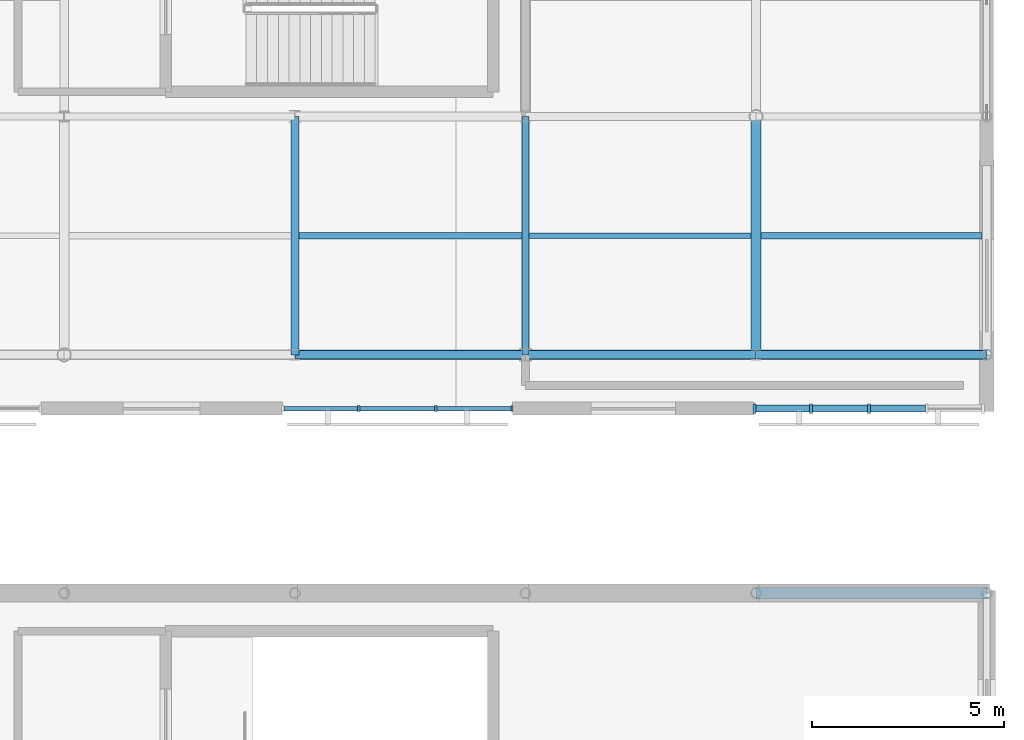
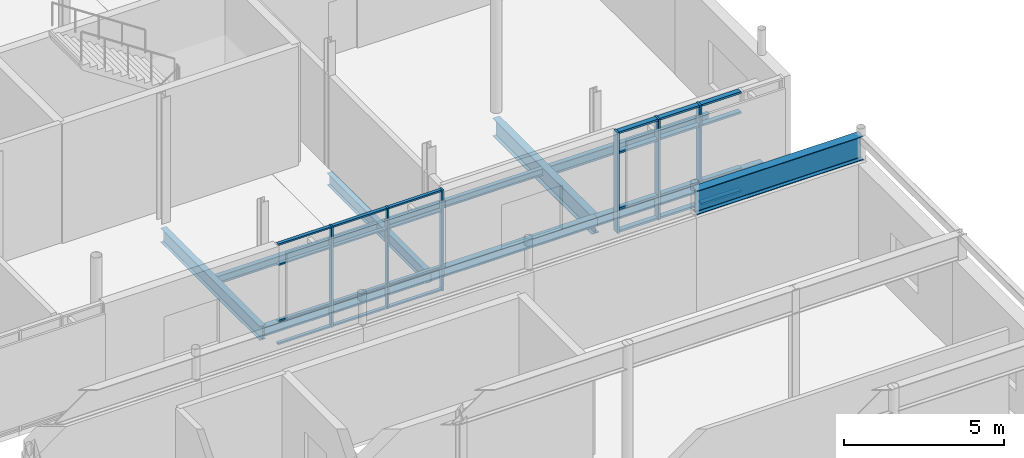
# One storey, part 42 of 84: 30 members, 10 beams, 2 elements without a shape of their own.
"""IFC4 building model written with IfcOpenShell, lengths in metres."""

import ifcopenshell
import ifcopenshell.guid

model = None  # the IFC model being written
_history = None  # IfcOwnerHistory: only IFC2X3 demands one
_inside = {}  # id of a spatial element -> (the spatial element, [elements in it])
_under = {}  # id of a project, library or spatial element -> (it, [spatial elements below it])
_declared = {}  # id of a project -> (the project, [libraries it declares])
_typed = {}  # id of a type object -> (the type object, [elements of that type])
_made_of = {}  # id of a material, layer set ... -> (it, [elements and type objects made of it])


def new_model(schema):
    """Start an empty IFC model of exactly this schema.

    Asked for "IFC4X3", IfcOpenShell would pick the latest addendum, in which some entities
    have other attributes; the version numbers below select the first issue.
    IFC2X3 requires an IfcOwnerHistory on every rooted entity: one is made here for all.
    """
    global model, _history
    if schema == "IFC4X3":
        model = ifcopenshell.file(schema_version=(4, 3, 0, 0))
    else:
        model = ifcopenshell.file(schema=schema)
    _inside.clear()
    _under.clear()
    _declared.clear()
    _typed.clear()
    _made_of.clear()
    _history = None
    if model.schema == "IFC2X3":
        org = make("IfcOrganization", Name="unknown")
        user = make(
            "IfcPersonAndOrganization",
            ThePerson=make("IfcPerson", FamilyName="unknown"),
            TheOrganization=org,
        )
        app = make(
            "IfcApplication",
            ApplicationDeveloper=org,
            Version="unknown",
            ApplicationFullName="unknown",
            ApplicationIdentifier="unknown",
        )
        _history = make(
            "IfcOwnerHistory",
            OwningUser=user,
            OwningApplication=app,
            ChangeAction="ADDED",
            CreationDate=0,
        )
    return model


def make(cls, **values):
    """One entity of the class cls with the attributes given. An attribute that is None is left unset."""
    return model.create_entity(
        cls, **{name: value for name, value in values.items() if value is not None}
    )


def rooted(cls, **values):
    """An entity with a GlobalId (a new one), such as an element, a storey or a relation."""
    return make(cls, GlobalId=ifcopenshell.guid.new(), OwnerHistory=_history, **values)


def si_unit(unit_type, name, prefix=None):
    """IfcSIUnit, for example si_unit("LENGTHUNIT", "METRE", prefix="MILLI")."""
    return make("IfcSIUnit", UnitType=unit_type, Prefix=prefix, Name=name)


def assignment(units):
    """IfcUnitAssignment: the units of a project."""
    return None if units is None else make("IfcUnitAssignment", Units=units)


def point(xyz):
    """IfcCartesianPoint."""
    return None if xyz is None else make("IfcCartesianPoint", Coordinates=xyz)


def direction(xyz):
    """IfcDirection."""
    return None if xyz is None else make("IfcDirection", DirectionRatios=xyz)


def frame(location, z_axis=None, x_axis=None):
    """IfcAxis2Placement3D, a coordinate frame: its origin and axes. An axis left out is left unset."""
    return make(
        "IfcAxis2Placement3D",
        Location=point(location),
        Axis=direction(z_axis),
        RefDirection=direction(x_axis),
    )


def frame_2d(location, x_axis=None):
    """IfcAxis2Placement2D, a coordinate frame in the plane: its origin and x axis."""
    return make(
        "IfcAxis2Placement2D", Location=point(location), RefDirection=direction(x_axis)
    )


def origin():
    """The frame at (0, 0, 0) with its axes left unset."""
    return frame((0.0, 0.0, 0.0))


def origin_2d():
    """The frame at (0, 0) in the plane with its x axis left unset."""
    return frame_2d((0.0, 0.0))


def place(relative_to, where):
    """IfcLocalPlacement: puts the frame where relative to a parent placement (None: the world)."""
    return make(
        "IfcLocalPlacement", PlacementRelTo=relative_to, RelativePlacement=where
    )


def context(
    kind, dimensions, precision=None, world=None, true_north=None, identifier=None
):
    """IfcGeometricRepresentationContext, for example the 3D "Model" context."""
    return make(
        "IfcGeometricRepresentationContext",
        ContextIdentifier=identifier,
        ContextType=kind,
        CoordinateSpaceDimension=dimensions,
        Precision=precision,
        WorldCoordinateSystem=world,
        TrueNorth=true_north,
    )


def subcontext(parent, identifier, kind, view, scale=None):
    """IfcGeometricRepresentationSubContext, for example "Body" below "Model"."""
    return make(
        "IfcGeometricRepresentationSubContext",
        ContextIdentifier=identifier,
        ContextType=kind,
        ParentContext=parent,
        TargetScale=scale,
        TargetView=view,
    )


def project(units=None, contexts=None):
    """IfcProject with its units and contexts."""
    return rooted(
        "IfcProject",
        Name="project",
        RepresentationContexts=contexts,
        UnitsInContext=assignment(units),
    )


def spatial(cls, under=None, at=None, **own):
    """A site, building, storey or space (cls), placed at a placement, below another one or the project."""
    s = rooted(cls, ObjectPlacement=at, **own)
    if under is not None:
        _under.setdefault(under.id(), (under, []))[1].append(s)
    return s


def profile(cls, at=None, kind="AREA", **sizes):
    """A parametric profile (cls). Its sizes go by their IFC names, for example OverallWidth=200.0."""
    return make(cls, ProfileType=kind, Position=at, **sizes)


def rectangle(**sizes):
    """IfcRectangleProfileDef."""
    return profile("IfcRectangleProfileDef", **sizes)


def hollow_rectangle(**sizes):
    """IfcRectangleHollowProfileDef."""
    return profile("IfcRectangleHollowProfileDef", **sizes)


def i_section(**sizes):
    """IfcIShapeProfileDef."""
    return profile("IfcIShapeProfileDef", **sizes)


def extrude(swept, where, along, depth):
    """IfcExtrudedAreaSolid: the profile swept, set in the frame where, extruded along a direction by depth."""
    return make(
        "IfcExtrudedAreaSolid",
        SweptArea=swept,
        Position=where,
        ExtrudedDirection=direction(along),
        Depth=depth,
    )


def shape(context_of_items, identifier, shape_type, items):
    """IfcShapeRepresentation: the items that make up one representation, for example the "Body"."""
    return make(
        "IfcShapeRepresentation",
        ContextOfItems=context_of_items,
        RepresentationIdentifier=identifier,
        RepresentationType=shape_type,
        Items=items,
    )


def material(Name=None, Category=None):
    """IfcMaterial."""
    return make("IfcMaterial", Name=Name, Category=Category)


def layer(
    of_material, thickness, ventilated=None, Name=None, Category=None, Priority=None
):
    """IfcMaterialLayer: one layer of a wall or slab, of a material (None: an air gap)."""
    return make(
        "IfcMaterialLayer",
        Material=of_material,
        LayerThickness=thickness,
        IsVentilated=ventilated,
        Name=Name,
        Category=Category,
        Priority=Priority,
    )


def layer_set(layers, Name=None):
    """IfcMaterialLayerSet."""
    return make("IfcMaterialLayerSet", MaterialLayers=layers, LayerSetName=Name)


def material_profile(
    of_material, cross_section, Name=None, Category=None, Priority=None
):
    """IfcMaterialProfile: a cross section and its material."""
    return make(
        "IfcMaterialProfile",
        Name=Name,
        Material=of_material,
        Profile=cross_section,
        Priority=Priority,
        Category=Category,
    )


def profile_set(profiles, Name=None, composite=None):
    """IfcMaterialProfileSet."""
    return make(
        "IfcMaterialProfileSet",
        Name=Name,
        MaterialProfiles=profiles,
        CompositeProfile=composite,
    )


def made_of(thing, what):
    """Note that an element or type object is made of a material, layer set ...; save() writes the relation."""
    if what is not None:
        _made_of.setdefault(what.id(), (what, []))[1].append(thing)
    return thing


def type_object(cls, material=None, **own):
    """A type object (cls), such as IfcWallType, which elements share."""
    return made_of(rooted(cls, **own), material)


def element(
    cls,
    number,
    at=None,
    inside=None,
    cuts=None,
    type_object=None,
    material=None,
    context=None,
    identifier="Body",
    shape_type=None,
    held_by="IfcProductDefinitionShape",
    body=None,
    shapes=None,
    **own,
):
    """One element of the class cls, such as IfcWall. Its Tag is "e" and its number.

    at: its placement. inside: the storey or other place that contains it. cuts: it is an
    opening in that element (IfcRelVoidsElement). A single representation is given by context,
    identifier, shape_type and body (its items); several are given by shapes. held_by: the class
    of the entity that holds the representations. save() writes the other relations.
    """
    e = rooted(cls, Tag="e%d" % number, ObjectPlacement=at, **own)
    if body is not None:
        shapes = [shape(context, identifier, shape_type, body)]
    if shapes is not None:
        e.Representation = make(held_by, Representations=shapes)
    if inside is not None:
        _inside.setdefault(inside.id(), (inside, []))[1].append(e)
    if cuts is not None:
        rooted(
            "IfcRelVoidsElement", RelatingBuildingElement=cuts, RelatedOpeningElement=e
        )
    if type_object is not None:
        _typed.setdefault(type_object.id(), (type_object, []))[1].append(e)
    return made_of(e, material)


def aggregate(whole, parts):
    """IfcRelAggregates: a whole, such as a stair, and the parts it consists of."""
    return rooted("IfcRelAggregates", RelatingObject=whole, RelatedObjects=parts)


def save(model, path):
    """Write the relations noted so far, then the file.

    IfcRelAggregates (storeys below a building ...), IfcRelContainedInSpatialStructure (elements
    in a storey), IfcRelDefinesByType, IfcRelAssociatesMaterial and IfcRelDeclares: one each for
    every whole, place, type object, material and project.
    """
    for whole, parts in _under.values():
        aggregate(whole, parts)
    for where, things in _inside.values():
        rooted(
            "IfcRelContainedInSpatialStructure",
            RelatedElements=things,
            RelatingStructure=where,
        )
    for kind, things in _typed.values():
        rooted("IfcRelDefinesByType", RelatedObjects=things, RelatingType=kind)
    for what, things in _made_of.values():
        rooted("IfcRelAssociatesMaterial", RelatedObjects=things, RelatingMaterial=what)
    for by, libraries in _declared.values():
        rooted("IfcRelDeclares", RelatingContext=by, RelatedDefinitions=libraries)
    model.write(path)


model = new_model("IFC4")

# Units and contexts
model_context = context("Model", 3, precision=1e-05, world=origin(), true_north=direction((0.0, 1.0)))
body_context = subcontext(model_context, "Body", "Model", "MODEL_VIEW")
ifc_project = project(units=[si_unit("LENGTHUNIT", "METRE"), si_unit("AREAUNIT", "SQUARE_METRE"), si_unit("VOLUMEUNIT", "CUBIC_METRE"), si_unit("PLANEANGLEUNIT", "RADIAN"), si_unit("MASSUNIT", "GRAM", prefix="KILO")], contexts=[model_context])

# Site, building, storey
site_placement = place(None, origin())
site = spatial("IfcSite", under=ifc_project, at=site_placement, CompositionType="ELEMENT")
building_placement = place(site_placement, origin())
building = spatial("IfcBuilding", under=site, at=building_placement, Name="Mirzam Square Science Centre", CompositionType="ELEMENT")
storey_placement = place(building_placement, frame((0.0, 0.0, 10.800048828125)))
storey = spatial("IfcBuildingStorey", under=building, at=storey_placement, Name="L02", CompositionType="ELEMENT", Elevation=10.800048828125)

# Beams
ifc_material_1 = material(Name="Steel S355", Category="steel")
ifc_material_profile_1 = material_profile(ifc_material_1, i_section(OverallWidth=0.19140625, OverallDepth=0.4599609375, WebThickness=0.010009765625, FlangeThickness=0.01611328125, FilletRadius=0.01025390625, at=origin_2d()), Name="457x191x82UB")
ifc_profile_set_1 = profile_set([ifc_material_profile_1], Name="Steel S355")
beam_type_1 = type_object("IfcBeamType", Name="BM-UB457", PredefinedType="BEAM", material=ifc_profile_set_1)
beam_1_placement = place(storey_placement, frame((150.0, 43.39990234375, -0.47998046875), z_axis=(0.0, 1.0, 0.0), x_axis=(-1.0, 0.0, 0.0)))
element("IfcBeam", 1, at=beam_1_placement, inside=storey, type_object=beam_type_1, Name="L02 girder Y26-8", PredefinedType="BEAM", context=body_context, shape_type="SweptSolid", body=[
    extrude(i_section(OverallWidth=0.19140625, OverallDepth=0.4599609375, WebThickness=0.010009765625, FlangeThickness=0.01611328125, FilletRadius=0.01025390625, at=origin_2d()), origin(), (0.0, 0.0, 1.0), 6.2001953125),
])
ifc_material_profile_2 = material_profile(ifc_material_1, i_section(OverallWidth=0.2099609375, OverallDepth=0.53662109375, WebThickness=0.0107421875, FlangeThickness=0.017333984375, FilletRadius=0.0126953125, at=origin_2d()), Name="533x210x101UB")
ifc_profile_set_2 = profile_set([ifc_material_profile_2], Name="Steel S355")
beam_type_2 = type_object("IfcBeamType", Name="BM-UB533", PredefinedType="BEAM", material=ifc_profile_set_2)
beam_2_placement = place(storey_placement, frame((144.0, 43.39990234375, -0.518310546875), z_axis=(0.0, 1.0, 0.0), x_axis=(-1.0, 0.0, 0.0)))
element("IfcBeam", 2, at=beam_2_placement, inside=storey, type_object=beam_type_2, Name="L02 girder Y25-8", PredefinedType="BEAM", context=body_context, shape_type="SweptSolid", body=[
    extrude(i_section(OverallWidth=0.2099609375, OverallDepth=0.53662109375, WebThickness=0.0107421875, FlangeThickness=0.017333984375, FilletRadius=0.0126953125, at=origin_2d()), origin(), (0.0, 0.0, 1.0), 6.2001953125),
])
ifc_material_profile_3 = material_profile(ifc_material_1, i_section(OverallWidth=0.25439453125, OverallDepth=0.6875, WebThickness=0.01318359375, FlangeThickness=0.02099609375, FilletRadius=0.01513671875, at=origin_2d()), Name="686x254x152UB")
ifc_profile_set_3 = profile_set([ifc_material_profile_3], Name="Steel S355")
beam_type_3 = type_object("IfcBeamType", Name="BM-UB686", PredefinedType="BEAM", material=ifc_profile_set_3)
beam_3_placement = place(storey_placement, frame((156.0, 43.39990234375, -0.59375), z_axis=(0.0, 1.0, 0.0), x_axis=(-1.0, 0.0, 0.0)))
element("IfcBeam", 3, at=beam_3_placement, inside=storey, type_object=beam_type_3, Name="L02 girder Y27-8", PredefinedType="BEAM", context=body_context, shape_type="SweptSolid", body=[
    extrude(i_section(OverallWidth=0.25439453125, OverallDepth=0.6875, WebThickness=0.01318359375, FlangeThickness=0.02099609375, FilletRadius=0.01513671875, at=origin_2d()), origin(), (0.0, 0.0, 1.0), 6.2001953125),
])
ifc_material_profile_4 = material_profile(ifc_material_1, i_section(OverallWidth=0.30419921875, OverallDepth=0.910400390625, WebThickness=0.015869140625, FlangeThickness=0.02392578125, FilletRadius=0.01904296875, at=origin_2d()), Name="914x305x224UB")
ifc_profile_set_4 = profile_set([ifc_material_profile_4], Name="Steel S355")
beam_type_4 = type_object("IfcBeamType", Name="BM-UB914", PredefinedType="BEAM", material=ifc_profile_set_4)
beam_4_placement = place(storey_placement, frame((156.0, 37.199951171875, 4.07470703125), z_axis=(1.0, 0.0, 0.0), x_axis=(0.0, 1.0, 0.0)))
element("IfcBeam", 4, at=beam_4_placement, inside=storey, type_object=beam_type_4, Name="Theatre acoustic roof girder 27-7", PredefinedType="BEAM", context=body_context, shape_type="SweptSolid", body=[
    extrude(i_section(OverallWidth=0.30419921875, OverallDepth=0.910400390625, WebThickness=0.015869140625, FlangeThickness=0.02392578125, FilletRadius=0.01904296875, at=origin_2d()), origin(), (0.0, 0.0, 1.0), 6.0),
])

# Curtain wall, members
ifc_material_2 = material(Name="Anodised Aluminium and Low-E Solar Glass", Category="aluminium")
ifc_layer_1 = layer(ifc_material_2, 0.199951171875)
ifc_layer_set_1 = layer_set([ifc_layer_1], Name="CW-PARK-B")
curtain_wall_type_1 = type_object("IfcCurtainWallType", Name="CW-PARK-B", PredefinedType="USERDEFINED", material=ifc_layer_set_1)
curtain_wall_1_placement = place(storey_placement, origin())
curtain_wall_1 = element("IfcCurtainWall", 5, at=curtain_wall_1_placement, inside=storey, type_object=curtain_wall_type_1, Name="L02 unitised curtain wall 103", ObjectType="UNITISED CURTAIN WALL", PredefinedType="USERDEFINED")
ifc_material_3 = material(Name="Anodised Architectural Aluminium 6063-T6", Category="aluminium")
ifc_material_profile_5 = material_profile(ifc_material_3, rectangle(XDim=0.06005859375, YDim=0.159912109375, at=origin_2d()), Name="ALU-MULL-160x60x4")
ifc_profile_set_5 = profile_set([ifc_material_profile_5], Name="Anodised Architectural Aluminium 6063-T6")
member_type_1 = type_object("IfcMemberType", Name="CWM-160", PredefinedType="MULLION", material=ifc_profile_set_5)
member_1_placement = place(storey_placement, frame((145.662841796875, 42.0, 0.0), z_axis=(0.0, 0.0, 1.0), x_axis=(1.0, 0.0, 0.0)))
member_1 = element("IfcMember", 6, at=member_1_placement, type_object=member_type_1, Name="CW-02 mullion 2", PredefinedType="MULLION", context=body_context, shape_type="SweptSolid", body=[
    extrude(rectangle(XDim=0.06005859375, YDim=0.159912109375, at=origin_2d()), origin(), (0.0, 0.0, 1.0), 3.83984375),
])
member_2_placement = place(storey_placement, frame((147.670654296875, 42.0, 0.0), z_axis=(0.0, 0.0, 1.0), x_axis=(1.0, 0.0, 0.0)))
member_2 = element("IfcMember", 7, at=member_2_placement, type_object=member_type_1, Name="CW-02 mullion 3", PredefinedType="MULLION", context=body_context, shape_type="SweptSolid", body=[
    extrude(rectangle(XDim=0.06005859375, YDim=0.159912109375, at=origin_2d()), origin(), (0.0, 0.0, 1.0), 3.83984375),
])
member_3_placement = place(storey_placement, frame((149.648193359375, 42.0, 0.0), z_axis=(0.0, 0.0, 1.0), x_axis=(1.0, 0.0, 0.0)))
member_3 = element("IfcMember", 8, at=member_3_placement, type_object=member_type_1, Name="CW-02 mullion 4", PredefinedType="MULLION", context=body_context, shape_type="SweptSolid", body=[
    extrude(rectangle(XDim=0.06005859375, YDim=0.159912109375, at=origin_2d()), origin(), (0.0, 0.0, 1.0), 3.83984375),
])

ifc_layer_2 = layer(ifc_material_2, 0.159912109375)
ifc_layer_set_2 = layer_set([ifc_layer_2], Name="CW-COURT-B")
curtain_wall_type_2 = type_object("IfcCurtainWallType", Name="CW-COURT-B", PredefinedType="USERDEFINED", material=ifc_layer_set_2)
curtain_wall_2_placement = place(storey_placement, origin())
curtain_wall_2 = element("IfcCurtainWall", 9, at=curtain_wall_2_placement, inside=storey, type_object=curtain_wall_type_2, Name="L02 unitised curtain wall 104", ObjectType="UNITISED CURTAIN WALL", PredefinedType="USERDEFINED")
ifc_material_profile_6 = material_profile(ifc_material_3, rectangle(XDim=0.074951171875, YDim=0.239990234375, at=origin_2d()), Name="ALU-MULL-240x75x5")
ifc_profile_set_6 = profile_set([ifc_material_profile_6], Name="Anodised Architectural Aluminium 6063-T6")
member_type_2 = type_object("IfcMemberType", Name="CWM-240", PredefinedType="MULLION", material=ifc_profile_set_6)
member_4_placement = place(storey_placement, frame((155.959228515625, 42.0, 0.0), z_axis=(0.0, 0.0, 1.0), x_axis=(1.0, 0.0, 0.0)))
member_4 = element("IfcMember", 10, at=member_4_placement, type_object=member_type_2, Name="CW-04 mullion 1", PredefinedType="MULLION", context=body_context, shape_type="SweptSolid", body=[
    extrude(rectangle(XDim=0.074951171875, YDim=0.239990234375, at=origin_2d()), origin(), (0.0, 0.0, 1.0), 3.83984375),
])
member_5_placement = place(storey_placement, frame((157.427490234375, 42.0, 0.0), z_axis=(0.0, 0.0, 1.0), x_axis=(1.0, 0.0, 0.0)))
member_5 = element("IfcMember", 11, at=member_5_placement, type_object=member_type_2, Name="CW-04 mullion 2", PredefinedType="MULLION", context=body_context, shape_type="SweptSolid", body=[
    extrude(rectangle(XDim=0.074951171875, YDim=0.239990234375, at=origin_2d()), origin(), (0.0, 0.0, 1.0), 3.83984375),
])
member_6_placement = place(storey_placement, frame((158.933349609375, 42.0, 0.0), z_axis=(0.0, 0.0, 1.0), x_axis=(1.0, 0.0, 0.0)))
member_6 = element("IfcMember", 12, at=member_6_placement, type_object=member_type_2, Name="CW-04 mullion 3", PredefinedType="MULLION", context=body_context, shape_type="SweptSolid", body=[
    extrude(rectangle(XDim=0.074951171875, YDim=0.239990234375, at=origin_2d()), origin(), (0.0, 0.0, 1.0), 3.83984375),
])

# Member
ifc_material_profile_7 = material_profile(ifc_material_3, rectangle(XDim=0.1201171875, YDim=0.06005859375, at=origin_2d()), Name="ALU-TRAN-120x60x4")
ifc_profile_set_7 = profile_set([ifc_material_profile_7], Name="Anodised Architectural Aluminium 6063-T6")
member_type_3 = type_object("IfcMemberType", Name="CWT-120", PredefinedType="USERDEFINED", material=ifc_profile_set_7)
member_7_placement = place(storey_placement, frame((143.715087890625, 42.0, 0.030029296875), z_axis=(1.0, 0.0, 0.0), x_axis=(0.0, 1.0, 0.0)))
member_7 = element("IfcMember", 13, at=member_7_placement, type_object=member_type_3, Name="CW-02 transom 1.1", ObjectType="TRANSOM", PredefinedType="USERDEFINED", context=body_context, shape_type="SweptSolid", body=[
    extrude(rectangle(XDim=0.1201171875, YDim=0.06005859375, at=origin_2d()), origin(), (0.0, 0.0, 1.0), 1.917724609375),
])

member_8_placement = place(storey_placement, frame((143.715087890625, 42.0, 0.89990234375), z_axis=(1.0, 0.0, 0.0), x_axis=(0.0, 1.0, 0.0)))
member_8 = element("IfcMember", 14, at=member_8_placement, type_object=member_type_3, Name="CW-02 transom 1.2", ObjectType="TRANSOM", PredefinedType="USERDEFINED", context=body_context, shape_type="SweptSolid", body=[
    extrude(rectangle(XDim=0.1201171875, YDim=0.06005859375, at=origin_2d()), origin(), (0.0, 0.0, 1.0), 1.917724609375),
])

member_9_placement = place(storey_placement, frame((143.715087890625, 42.0, 3.0400390625), z_axis=(1.0, 0.0, 0.0), x_axis=(0.0, 1.0, 0.0)))
member_9 = element("IfcMember", 15, at=member_9_placement, type_object=member_type_3, Name="CW-02 transom 1.3", ObjectType="TRANSOM", PredefinedType="USERDEFINED", context=body_context, shape_type="SweptSolid", body=[
    extrude(rectangle(XDim=0.1201171875, YDim=0.06005859375, at=origin_2d()), origin(), (0.0, 0.0, 1.0), 1.917724609375),
])

member_10_placement = place(storey_placement, frame((143.715087890625, 42.0, 3.81005859375), z_axis=(1.0, 0.0, 0.0), x_axis=(0.0, 1.0, 0.0)))
member_10 = element("IfcMember", 16, at=member_10_placement, type_object=member_type_3, Name="CW-02 transom 1.4", ObjectType="TRANSOM", PredefinedType="USERDEFINED", context=body_context, shape_type="SweptSolid", body=[
    extrude(rectangle(XDim=0.1201171875, YDim=0.06005859375, at=origin_2d()), origin(), (0.0, 0.0, 1.0), 1.917724609375),
])

member_11_placement = place(storey_placement, frame((145.69287109375, 42.0, 0.030029296875), z_axis=(1.0, 0.0, 0.0), x_axis=(0.0, 1.0, 0.0)))
member_11 = element("IfcMember", 17, at=member_11_placement, type_object=member_type_3, Name="CW-02 transom 2.1", ObjectType="TRANSOM", PredefinedType="USERDEFINED", context=body_context, shape_type="SweptSolid", body=[
    extrude(rectangle(XDim=0.1201171875, YDim=0.06005859375, at=origin_2d()), origin(), (0.0, 0.0, 1.0), 1.94775390625),
])

member_12_placement = place(storey_placement, frame((145.69287109375, 42.0, 0.89990234375), z_axis=(1.0, 0.0, 0.0), x_axis=(0.0, 1.0, 0.0)))
member_12 = element("IfcMember", 18, at=member_12_placement, type_object=member_type_3, Name="CW-02 transom 2.2", ObjectType="TRANSOM", PredefinedType="USERDEFINED", context=body_context, shape_type="SweptSolid", body=[
    extrude(rectangle(XDim=0.1201171875, YDim=0.06005859375, at=origin_2d()), origin(), (0.0, 0.0, 1.0), 1.94775390625),
])

member_13_placement = place(storey_placement, frame((145.69287109375, 42.0, 3.0400390625), z_axis=(1.0, 0.0, 0.0), x_axis=(0.0, 1.0, 0.0)))
member_13 = element("IfcMember", 19, at=member_13_placement, type_object=member_type_3, Name="CW-02 transom 2.3", ObjectType="TRANSOM", PredefinedType="USERDEFINED", context=body_context, shape_type="SweptSolid", body=[
    extrude(rectangle(XDim=0.1201171875, YDim=0.06005859375, at=origin_2d()), origin(), (0.0, 0.0, 1.0), 1.94775390625),
])

member_14_placement = place(storey_placement, frame((145.69287109375, 42.0, 3.81005859375), z_axis=(1.0, 0.0, 0.0), x_axis=(0.0, 1.0, 0.0)))
member_14 = element("IfcMember", 20, at=member_14_placement, type_object=member_type_3, Name="CW-02 transom 2.4", ObjectType="TRANSOM", PredefinedType="USERDEFINED", context=body_context, shape_type="SweptSolid", body=[
    extrude(rectangle(XDim=0.1201171875, YDim=0.06005859375, at=origin_2d()), origin(), (0.0, 0.0, 1.0), 1.94775390625),
])

member_15_placement = place(storey_placement, frame((147.700439453125, 42.0, 0.030029296875), z_axis=(1.0, 0.0, 0.0), x_axis=(0.0, 1.0, 0.0)))
member_15 = element("IfcMember", 21, at=member_15_placement, type_object=member_type_3, Name="CW-02 transom 3.1", ObjectType="TRANSOM", PredefinedType="USERDEFINED", context=body_context, shape_type="SweptSolid", body=[
    extrude(rectangle(XDim=0.1201171875, YDim=0.06005859375, at=origin_2d()), origin(), (0.0, 0.0, 1.0), 1.91796875),
])

member_16_placement = place(storey_placement, frame((147.700439453125, 42.0, 0.89990234375), z_axis=(1.0, 0.0, 0.0), x_axis=(0.0, 1.0, 0.0)))
member_16 = element("IfcMember", 22, at=member_16_placement, type_object=member_type_3, Name="CW-02 transom 3.2", ObjectType="TRANSOM", PredefinedType="USERDEFINED", context=body_context, shape_type="SweptSolid", body=[
    extrude(rectangle(XDim=0.1201171875, YDim=0.06005859375, at=origin_2d()), origin(), (0.0, 0.0, 1.0), 1.91796875),
])

member_17_placement = place(storey_placement, frame((147.700439453125, 42.0, 3.0400390625), z_axis=(1.0, 0.0, 0.0), x_axis=(0.0, 1.0, 0.0)))
member_17 = element("IfcMember", 23, at=member_17_placement, type_object=member_type_3, Name="CW-02 transom 3.3", ObjectType="TRANSOM", PredefinedType="USERDEFINED", context=body_context, shape_type="SweptSolid", body=[
    extrude(rectangle(XDim=0.1201171875, YDim=0.06005859375, at=origin_2d()), origin(), (0.0, 0.0, 1.0), 1.91796875),
])

member_18_placement = place(storey_placement, frame((147.700439453125, 42.0, 3.81005859375), z_axis=(1.0, 0.0, 0.0), x_axis=(0.0, 1.0, 0.0)))
member_18 = element("IfcMember", 24, at=member_18_placement, type_object=member_type_3, Name="CW-02 transom 3.4", ObjectType="TRANSOM", PredefinedType="USERDEFINED", context=body_context, shape_type="SweptSolid", body=[
    extrude(rectangle(XDim=0.1201171875, YDim=0.06005859375, at=origin_2d()), origin(), (0.0, 0.0, 1.0), 1.91796875),
])

aggregate(curtain_wall_1, [member_1, member_2, member_3, member_7, member_8, member_9, member_10, member_11, member_12, member_13, member_14, member_15, member_16, member_17, member_18])

ifc_material_profile_8 = material_profile(ifc_material_3, rectangle(XDim=0.179931640625, YDim=0.074951171875, at=origin_2d()), Name="ALU-TRAN-180x75x5")
ifc_profile_set_8 = profile_set([ifc_material_profile_8], Name="Anodised Architectural Aluminium 6063-T6")
member_type_4 = type_object("IfcMemberType", Name="CWT-180", PredefinedType="USERDEFINED", material=ifc_profile_set_8)
member_19_placement = place(storey_placement, frame((155.99658203125, 42.0, 0.037353515625), z_axis=(1.0, 0.0, 0.0), x_axis=(0.0, 1.0, 0.0)))
member_19 = element("IfcMember", 25, at=member_19_placement, type_object=member_type_4, Name="CW-04 transom 1.1", ObjectType="TRANSOM", PredefinedType="USERDEFINED", context=body_context, shape_type="SweptSolid", body=[
    extrude(rectangle(XDim=0.179931640625, YDim=0.074951171875, at=origin_2d()), origin(), (0.0, 0.0, 1.0), 1.3935546875),
])

member_20_placement = place(storey_placement, frame((155.99658203125, 42.0, 0.89990234375), z_axis=(1.0, 0.0, 0.0), x_axis=(0.0, 1.0, 0.0)))
member_20 = element("IfcMember", 26, at=member_20_placement, type_object=member_type_4, Name="CW-04 transom 1.2", ObjectType="TRANSOM", PredefinedType="USERDEFINED", context=body_context, shape_type="SweptSolid", body=[
    extrude(rectangle(XDim=0.179931640625, YDim=0.074951171875, at=origin_2d()), origin(), (0.0, 0.0, 1.0), 1.3935546875),
])

member_21_placement = place(storey_placement, frame((155.99658203125, 42.0, 3.0400390625), z_axis=(1.0, 0.0, 0.0), x_axis=(0.0, 1.0, 0.0)))
member_21 = element("IfcMember", 27, at=member_21_placement, type_object=member_type_4, Name="CW-04 transom 1.3", ObjectType="TRANSOM", PredefinedType="USERDEFINED", context=body_context, shape_type="SweptSolid", body=[
    extrude(rectangle(XDim=0.179931640625, YDim=0.074951171875, at=origin_2d()), origin(), (0.0, 0.0, 1.0), 1.3935546875),
])

member_22_placement = place(storey_placement, frame((155.99658203125, 42.0, 3.802490234375), z_axis=(1.0, 0.0, 0.0), x_axis=(0.0, 1.0, 0.0)))
member_22 = element("IfcMember", 28, at=member_22_placement, type_object=member_type_4, Name="CW-04 transom 1.4", ObjectType="TRANSOM", PredefinedType="USERDEFINED", context=body_context, shape_type="SweptSolid", body=[
    extrude(rectangle(XDim=0.179931640625, YDim=0.074951171875, at=origin_2d()), origin(), (0.0, 0.0, 1.0), 1.3935546875),
])

member_23_placement = place(storey_placement, frame((157.465087890625, 42.0, 0.037353515625), z_axis=(1.0, 0.0, 0.0), x_axis=(0.0, 1.0, 0.0)))
member_23 = element("IfcMember", 29, at=member_23_placement, type_object=member_type_4, Name="CW-04 transom 2.1", ObjectType="TRANSOM", PredefinedType="USERDEFINED", context=body_context, shape_type="SweptSolid", body=[
    extrude(rectangle(XDim=0.179931640625, YDim=0.074951171875, at=origin_2d()), origin(), (0.0, 0.0, 1.0), 1.4306640625),
])

member_24_placement = place(storey_placement, frame((157.465087890625, 42.0, 0.89990234375), z_axis=(1.0, 0.0, 0.0), x_axis=(0.0, 1.0, 0.0)))
member_24 = element("IfcMember", 30, at=member_24_placement, type_object=member_type_4, Name="CW-04 transom 2.2", ObjectType="TRANSOM", PredefinedType="USERDEFINED", context=body_context, shape_type="SweptSolid", body=[
    extrude(rectangle(XDim=0.179931640625, YDim=0.074951171875, at=origin_2d()), origin(), (0.0, 0.0, 1.0), 1.4306640625),
])

member_25_placement = place(storey_placement, frame((157.465087890625, 42.0, 3.0400390625), z_axis=(1.0, 0.0, 0.0), x_axis=(0.0, 1.0, 0.0)))
member_25 = element("IfcMember", 31, at=member_25_placement, type_object=member_type_4, Name="CW-04 transom 2.3", ObjectType="TRANSOM", PredefinedType="USERDEFINED", context=body_context, shape_type="SweptSolid", body=[
    extrude(rectangle(XDim=0.179931640625, YDim=0.074951171875, at=origin_2d()), origin(), (0.0, 0.0, 1.0), 1.4306640625),
])

member_26_placement = place(storey_placement, frame((157.465087890625, 42.0, 3.802490234375), z_axis=(1.0, 0.0, 0.0), x_axis=(0.0, 1.0, 0.0)))
member_26 = element("IfcMember", 32, at=member_26_placement, type_object=member_type_4, Name="CW-04 transom 2.4", ObjectType="TRANSOM", PredefinedType="USERDEFINED", context=body_context, shape_type="SweptSolid", body=[
    extrude(rectangle(XDim=0.179931640625, YDim=0.074951171875, at=origin_2d()), origin(), (0.0, 0.0, 1.0), 1.4306640625),
])

member_27_placement = place(storey_placement, frame((158.970947265625, 42.0, 0.037353515625), z_axis=(1.0, 0.0, 0.0), x_axis=(0.0, 1.0, 0.0)))
member_27 = element("IfcMember", 33, at=member_27_placement, type_object=member_type_4, Name="CW-04 transom 3.1", ObjectType="TRANSOM", PredefinedType="USERDEFINED", context=body_context, shape_type="SweptSolid", body=[
    extrude(rectangle(XDim=0.179931640625, YDim=0.074951171875, at=origin_2d()), origin(), (0.0, 0.0, 1.0), 1.4306640625),
])

member_28_placement = place(storey_placement, frame((158.970947265625, 42.0, 0.89990234375), z_axis=(1.0, 0.0, 0.0), x_axis=(0.0, 1.0, 0.0)))
member_28 = element("IfcMember", 34, at=member_28_placement, type_object=member_type_4, Name="CW-04 transom 3.2", ObjectType="TRANSOM", PredefinedType="USERDEFINED", context=body_context, shape_type="SweptSolid", body=[
    extrude(rectangle(XDim=0.179931640625, YDim=0.074951171875, at=origin_2d()), origin(), (0.0, 0.0, 1.0), 1.4306640625),
])

member_29_placement = place(storey_placement, frame((158.970947265625, 42.0, 3.0400390625), z_axis=(1.0, 0.0, 0.0), x_axis=(0.0, 1.0, 0.0)))
member_29 = element("IfcMember", 35, at=member_29_placement, type_object=member_type_4, Name="CW-04 transom 3.3", ObjectType="TRANSOM", PredefinedType="USERDEFINED", context=body_context, shape_type="SweptSolid", body=[
    extrude(rectangle(XDim=0.179931640625, YDim=0.074951171875, at=origin_2d()), origin(), (0.0, 0.0, 1.0), 1.4306640625),
])

member_30_placement = place(storey_placement, frame((158.970947265625, 42.0, 3.802490234375), z_axis=(1.0, 0.0, 0.0), x_axis=(0.0, 1.0, 0.0)))
member_30 = element("IfcMember", 36, at=member_30_placement, type_object=member_type_4, Name="CW-04 transom 3.4", ObjectType="TRANSOM", PredefinedType="USERDEFINED", context=body_context, shape_type="SweptSolid", body=[
    extrude(rectangle(XDim=0.179931640625, YDim=0.074951171875, at=origin_2d()), origin(), (0.0, 0.0, 1.0), 1.4306640625),
])

aggregate(curtain_wall_2, [member_4, member_5, member_6, member_19, member_20, member_21, member_22, member_23, member_24, member_25, member_26, member_27, member_28, member_29, member_30])

# Beams
ifc_material_profile_9 = material_profile(ifc_material_1, i_section(OverallWidth=0.146484375, OverallDepth=0.256103515625, WebThickness=0.00634765625, FlangeThickness=0.010986328125, FilletRadius=0.007568359375, at=origin_2d()), Name="254x146x37UB")
ifc_profile_set_9 = profile_set([ifc_material_profile_9], Name="Steel S355")
beam_type_5 = type_object("IfcBeamType", Name="JS-UB254", PredefinedType="JOIST", material=ifc_profile_set_9)
beam_5_placement = place(storey_placement, frame((150.095703125, 46.5, -0.3779296875), z_axis=(1.0, 0.0, 0.0), x_axis=(0.0, 1.0, 0.0)))
element("IfcBeam", 37, at=beam_5_placement, inside=storey, type_object=beam_type_5, Name="L02 composite joist 26-8", PredefinedType="JOIST", context=body_context, shape_type="SweptSolid", body=[
    extrude(i_section(OverallWidth=0.146484375, OverallDepth=0.256103515625, WebThickness=0.00634765625, FlangeThickness=0.010986328125, FilletRadius=0.007568359375, at=origin_2d()), origin(), (0.0, 0.0, 1.0), 5.777099609375),
])
ifc_material_profile_10 = material_profile(ifc_material_1, i_section(OverallWidth=0.165771484375, OverallDepth=0.306640625, WebThickness=0.006591796875, FlangeThickness=0.01171875, FilletRadius=0.0087890625, at=origin_2d()), Name="305x165x46UB")
ifc_profile_set_10 = profile_set([ifc_material_profile_10], Name="Steel S355")
beam_type_6 = type_object("IfcBeamType", Name="JS-UB305", PredefinedType="JOIST", material=ifc_profile_set_10)
beam_6_placement = place(storey_placement, frame((144.10498046875, 46.5, -0.4033203125), z_axis=(1.0, 0.0, 0.0), x_axis=(0.0, 1.0, 0.0)))
element("IfcBeam", 38, at=beam_6_placement, inside=storey, type_object=beam_type_6, Name="L02 composite joist 25-8", PredefinedType="JOIST", context=body_context, shape_type="SweptSolid", body=[
    extrude(i_section(OverallWidth=0.165771484375, OverallDepth=0.306640625, WebThickness=0.006591796875, FlangeThickness=0.01171875, FilletRadius=0.0087890625, at=origin_2d()), origin(), (0.0, 0.0, 1.0), 5.79931640625),
])
ifc_material_profile_11 = material_profile(ifc_material_1, i_section(OverallWidth=0.172119140625, OverallDepth=0.35791015625, WebThickness=0.008056640625, FlangeThickness=0.012939453125, FilletRadius=0.01025390625, at=origin_2d()), Name="356x171x57UB")
ifc_profile_set_11 = profile_set([ifc_material_profile_11], Name="Steel S355")
beam_type_7 = type_object("IfcBeamType", Name="JS-UB356", PredefinedType="JOIST", material=ifc_profile_set_11)
beam_7_placement = place(storey_placement, frame((156.127197265625, 46.5, -0.428955078125), z_axis=(1.0, 0.0, 0.0), x_axis=(0.0, 1.0, 0.0)))
element("IfcBeam", 39, at=beam_7_placement, inside=storey, type_object=beam_type_7, Name="L02 composite joist 27-8", PredefinedType="JOIST", context=body_context, shape_type="SweptSolid", body=[
    extrude(i_section(OverallWidth=0.172119140625, OverallDepth=0.35791015625, WebThickness=0.008056640625, FlangeThickness=0.012939453125, FilletRadius=0.01025390625, at=origin_2d()), origin(), (0.0, 0.0, 1.0), 5.747802734375),
])
ifc_material_profile_12 = material_profile(ifc_material_1, hollow_rectangle(XDim=0.25, YDim=0.35009765625, WallThickness=0.012451171875, InnerFilletRadius=0.012451171875, OuterFilletRadius=0.02490234375, at=origin_2d()), Name="350x250x12.5RHS")
ifc_profile_set_12 = profile_set([ifc_material_profile_12], Name="Steel S355")
beam_type_8 = type_object("IfcBeamType", Name="SP-RHS350", PredefinedType="SPANDREL", material=ifc_profile_set_12)
for number, where, z_axis, x_axis, name in (
    (40, (144.0, 43.39990234375, -0.425048828125), (1.0, 0.0, 0.0), (0.0, 1.0, 0.0), "L02 girder X25-8"),
    (41, (150.0, 43.39990234375, -0.425048828125), (1.0, 0.0, 0.0), (0.0, 1.0, 0.0), "L02 girder X26-8"),
    (42, (156.0, 43.39990234375, -0.425048828125), (1.0, 0.0, 0.0), (0.0, 1.0, 0.0), "L02 girder X27-8"),
):
    element("IfcBeam", number, at=place(storey_placement, frame(where, z_axis=z_axis, x_axis=x_axis)), inside=storey, type_object=beam_type_8, Name=name, PredefinedType="SPANDREL", context=body_context, shape_type="SweptSolid", body=[
        extrude(hollow_rectangle(XDim=0.25, YDim=0.35009765625, WallThickness=0.012451171875, InnerFilletRadius=0.012451171875, OuterFilletRadius=0.02490234375, at=origin_2d()), origin(), (0.0, 0.0, 1.0), 6.0),
    ])

save(model, "model.ifc")
